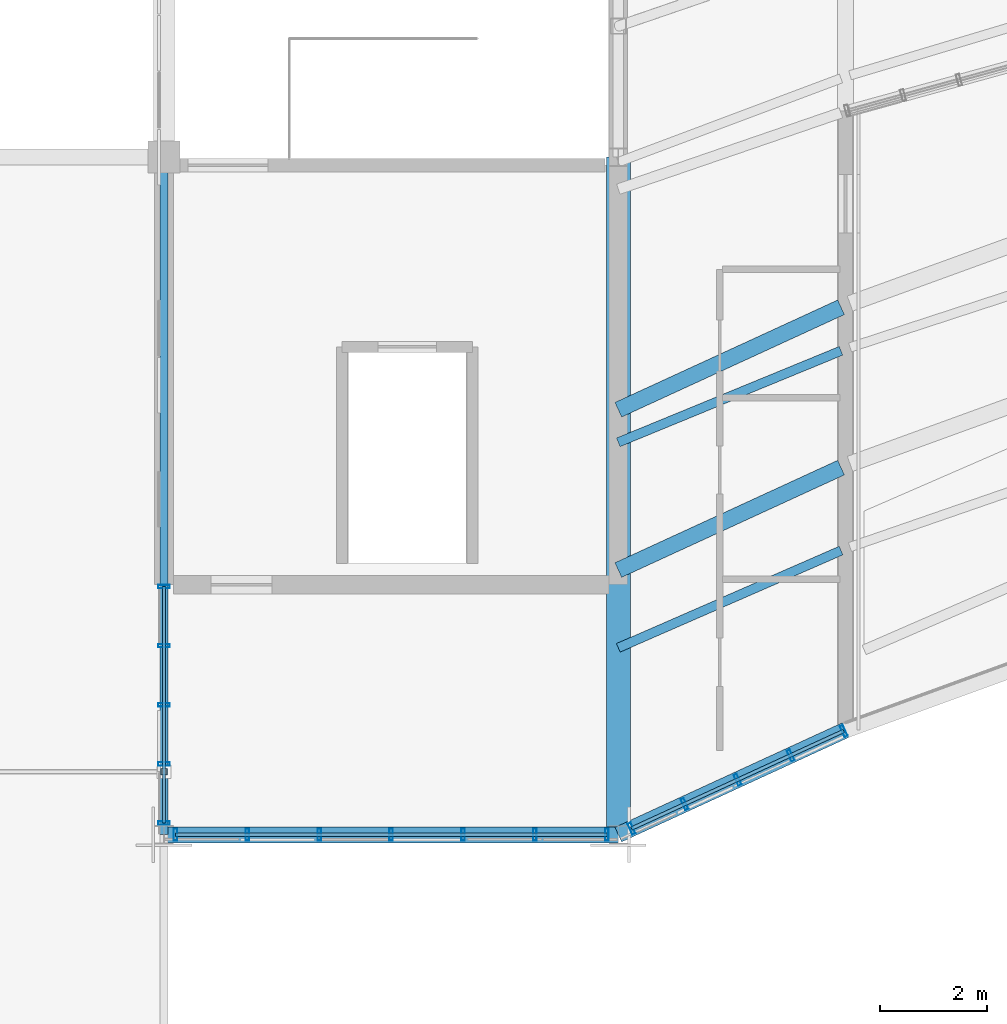
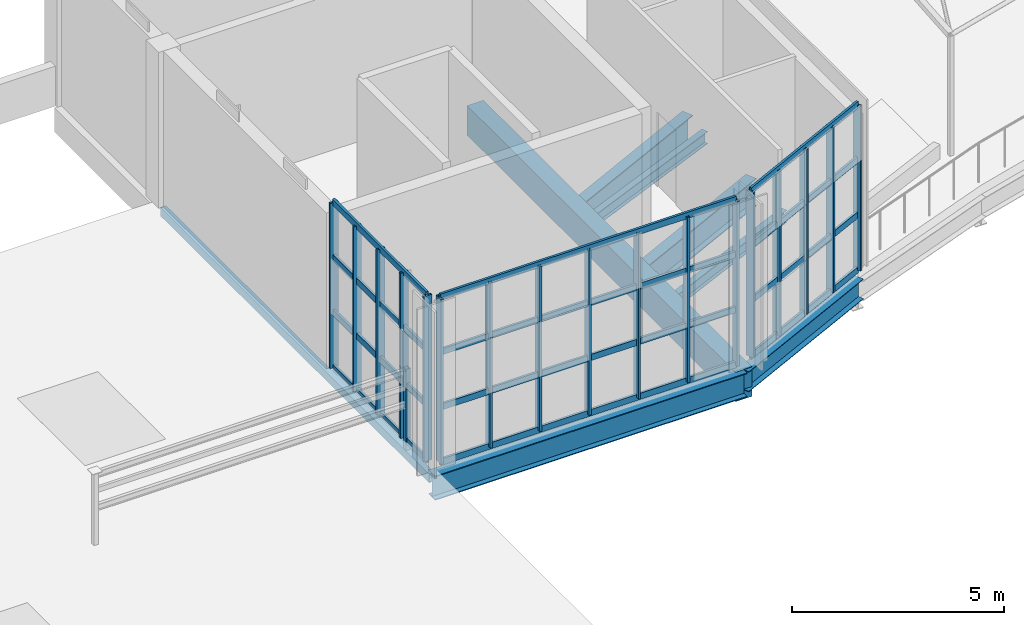
# One storey, part 8 of 35: 30 members, 8 beams, 3 elements without a shape of their own.
"""IFC4 building model written with IfcOpenShell, lengths in metres."""

from ifc_helpers import new_model, si_unit, direction, frame, origin, origin_2d, place, context, subcontext, project, spatial, rectangle, hollow_rectangle, i_section, extrude, material, material_profile, profile_set, type_object, element, aggregate, save


model = new_model("IFC4")

# Units and contexts
model_context = context("Model", 3, precision=1e-05, world=origin(), true_north=direction((0.0, 1.0)))
body_context = subcontext(model_context, "Body", "Model", "MODEL_VIEW")
ifc_project = project(units=[si_unit("LENGTHUNIT", "METRE"), si_unit("AREAUNIT", "SQUARE_METRE"), si_unit("VOLUMEUNIT", "CUBIC_METRE"), si_unit("PLANEANGLEUNIT", "RADIAN"), si_unit("MASSUNIT", "GRAM", prefix="KILO")], contexts=[model_context])

# Site, building, storey
site_placement = place(None, origin())
site = spatial("IfcSite", under=ifc_project, at=site_placement, CompositionType="ELEMENT")
building_placement = place(site_placement, origin())
building = spatial("IfcBuilding", under=site, at=building_placement, Name="Solvikara Media Centre", CompositionType="ELEMENT")
storey_placement = place(building_placement, frame((0.0, 0.0, 29.39990234375)))
storey = spatial("IfcBuildingStorey", under=building, at=storey_placement, Name="L06", CompositionType="ELEMENT", Elevation=29.39990234375)

# Beams
ifc_material_1 = material(Name="Concrete fc' 35 MPa (C35/45)", Category="concrete")
ifc_material_profile_1 = material_profile(ifc_material_1, rectangle(XDim=0.449951171875, YDim=0.85009765625, at=origin_2d()), Name="RC 450x850")
ifc_profile_set_1 = profile_set([ifc_material_profile_1], Name="Concrete fc' 35 MPa (C35/45)")
beam_type_1 = type_object("IfcBeamType", Name="BM-14", PredefinedType="SPANDREL", material=ifc_profile_set_1)
beam_1_placement = place(storey_placement, frame((76.5, 19.323974609375, -0.64501953125), z_axis=(0.0, 1.0, 0.0), x_axis=(-1.0, 0.0, 0.0)))
element("IfcBeam", 1, at=beam_1_placement, inside=storey, type_object=beam_type_1, Name="B-L06-Y1718", PredefinedType="SPANDREL", context=body_context, shape_type="SweptSolid", body=[
    extrude(rectangle(XDim=0.449951171875, YDim=0.85009765625, at=origin_2d()), origin(), (0.0, 0.0, 1.0), 12.676025390625),
])
ifc_material_2 = material(Name="Steel S355JR", Category="steel")
ifc_material_profile_2 = material_profile(ifc_material_2, i_section(OverallWidth=0.300048828125, OverallDepth=0.800048828125, WebThickness=0.013916015625, FlangeThickness=0.02587890625, at=origin_2d()), Name="WF 800x300x14x26")
ifc_profile_set_2 = profile_set([ifc_material_profile_2], Name="Steel S355JR")
beam_type_2 = type_object("IfcBeamType", Name="BM-16", PredefinedType="BEAM", material=ifc_profile_set_2)
for number, where, z_axis, x_axis, name in (
    (2, (76.5, 24.27392578125, -0.669921875), (0.908513080243, 0.417856414367, 0.0), (-0.417856414367, 0.908513080243, 0.0), "B-L06-SPNS-00"),
    (3, (76.5, 27.27392578125, -0.669921875), (0.908513080243, 0.417856414367, 0.0), (-0.417856414367, 0.908513080243, 0.0), "B-L06-SPNN-00"),
):
    element("IfcBeam", number, at=place(storey_placement, frame(where, z_axis=z_axis, x_axis=x_axis)), inside=storey, type_object=beam_type_2, Name=name, PredefinedType="BEAM", context=body_context, shape_type="SweptSolid", body=[
        extrude(i_section(OverallWidth=0.300048828125, OverallDepth=0.800048828125, WebThickness=0.013916015625, FlangeThickness=0.02587890625, at=origin_2d()), origin(), (0.0, 0.0, 1.0), 4.587646484375),
    ])
ifc_material_profile_3 = material_profile(ifc_material_2, i_section(OverallWidth=0.300048828125, OverallDepth=0.699951171875, WebThickness=0.012939453125, FlangeThickness=0.02392578125, at=origin_2d()), Name="WF 700x300x13x24")
ifc_profile_set_3 = profile_set([ifc_material_profile_3], Name="Steel S355JR")
beam_type_3 = type_object("IfcBeamType", Name="BM-17", PredefinedType="BEAM", material=ifc_profile_set_3)
beam_2_placement = place(storey_placement, frame((68.0, 19.320068359375, -0.572021484375), z_axis=(1.0, 0.0, 0.0), x_axis=(0.0, 1.0, 0.0)))
element("IfcBeam", 4, at=beam_2_placement, inside=storey, type_object=beam_type_3, Name="B-L06-X1696", PredefinedType="BEAM", context=body_context, shape_type="SweptSolid", body=[
    extrude(i_section(OverallWidth=0.300048828125, OverallDepth=0.699951171875, WebThickness=0.012939453125, FlangeThickness=0.02392578125, at=origin_2d()), origin(), (0.0, 0.0, 1.0), 8.5),
])
ifc_material_profile_4 = material_profile(ifc_material_2, i_section(OverallWidth=0.175048828125, OverallDepth=0.35009765625, WebThickness=0.007080078125, FlangeThickness=0.010986328125, at=origin_2d()), Name="WF 350x175x7x11")
ifc_profile_set_4 = profile_set([ifc_material_profile_4], Name="Steel S355JR")
beam_type_4 = type_object("IfcBeamType", Name="BM-22", PredefinedType="JOIST", material=ifc_profile_set_4)
beam_3_placement = place(storey_placement, frame((76.5, 22.819091796875, -0.44482421875), z_axis=(0.916452774581, 0.40014286444, 0.0), x_axis=(-0.40014286444, 0.916452774581, 0.0)))
element("IfcBeam", 5, at=beam_3_placement, inside=storey, type_object=beam_type_4, Name="BJ-L06-00-20", PredefinedType="JOIST", context=body_context, shape_type="SweptSolid", body=[
    extrude(i_section(OverallWidth=0.175048828125, OverallDepth=0.35009765625, WebThickness=0.007080078125, FlangeThickness=0.010986328125, at=origin_2d()), origin(), (0.0, 0.0, 1.0), 4.5478515625),
])
beam_4_placement = place(storey_placement, frame((76.5, 26.6640625, -0.44482421875), z_axis=(0.924906874056, 0.380193732621, 0.0), x_axis=(-0.380193732621, 0.924906874056, 0.0)))
element("IfcBeam", 6, at=beam_4_placement, inside=storey, type_object=beam_type_4, Name="BJ-L06-00-42", PredefinedType="JOIST", context=body_context, shape_type="SweptSolid", body=[
    extrude(i_section(OverallWidth=0.175048828125, OverallDepth=0.35009765625, WebThickness=0.007080078125, FlangeThickness=0.010986328125, at=origin_2d()), origin(), (0.0, 0.0, 1.0), 4.50537109375),
])
ifc_material_profile_5 = material_profile(ifc_material_2, i_section(OverallWidth=0.300048828125, OverallDepth=0.58203125, WebThickness=0.011962890625, FlangeThickness=0.01708984375, at=origin_2d()), Name="WF 582x300x12x17")
ifc_profile_set_5 = profile_set([ifc_material_profile_5], Name="Steel S355JR")
beam_type_5 = type_object("IfcBeamType", Name="BM-31", PredefinedType="SPANDREL", material=ifc_profile_set_5)
beam_5_placement = place(storey_placement, frame((76.5, 19.323974609375, -0.512939453125), z_axis=(0.908484112169, 0.417919391673, 0.0), x_axis=(-0.417919391673, 0.908484112169, 0.0)))
element("IfcBeam", 7, at=beam_5_placement, inside=storey, type_object=beam_type_5, Name="B-L06-SARC-00", PredefinedType="SPANDREL", context=body_context, shape_type="SweptSolid", body=[
    extrude(i_section(OverallWidth=0.300048828125, OverallDepth=0.58203125, WebThickness=0.011962890625, FlangeThickness=0.01708984375, at=origin_2d()), origin(), (0.0, 0.0, 1.0), 4.67822265625),
])
ifc_material_profile_6 = material_profile(ifc_material_2, hollow_rectangle(XDim=0.14990234375, YDim=0.25, WallThickness=0.008056640625, at=origin_2d()), Name="RHS 250x150x8")
ifc_profile_set_6 = profile_set([ifc_material_profile_6], Name="Steel S355JR")
beam_type_6 = type_object("IfcBeamType", Name="BM-36", PredefinedType="JOIST", material=ifc_profile_set_6)
beam_6_placement = place(storey_placement, frame((68.0, 19.323974609375, -0.35693359375), z_axis=(0.0, 1.0, 0.0), x_axis=(-1.0, 0.0, 0.0)))
element("IfcBeam", 8, at=beam_6_placement, inside=storey, type_object=beam_type_6, Name="B-L06-Y1716", PredefinedType="JOIST", context=body_context, shape_type="SweptSolid", body=[
    extrude(hollow_rectangle(XDim=0.14990234375, YDim=0.25, WallThickness=0.008056640625, at=origin_2d()), origin(), (0.0, 0.0, 1.0), 12.676025390625),
])

# Member
ifc_material_profile_7 = material_profile(ifc_material_2, hollow_rectangle(XDim=0.1201171875, YDim=0.1201171875, WallThickness=0.006103515625, at=origin_2d()), Name="RHS 120x120x6")
ifc_profile_set_7 = profile_set([ifc_material_profile_7], Name="Steel S355JR")
member_type_1 = type_object("IfcMemberType", Name="MB-24", PredefinedType="POST", material=ifc_profile_set_7)
member_1_placement = place(storey_placement, frame((68.0, 20.5, -0.27978515625), z_axis=(0.0, 0.0, 1.0), x_axis=(1.0, 0.0, 0.0)))
element("IfcMember", 9, at=member_1_placement, inside=storey, type_object=member_type_1, Name="PS-POST-B4", PredefinedType="POST", context=body_context, shape_type="SweptSolid", body=[
    extrude(hollow_rectangle(XDim=0.1201171875, YDim=0.1201171875, WallThickness=0.006103515625, at=origin_2d()), origin(), (0.0, 0.0, 1.0), 2.3798828125),
])

# Curtain wall, members
ifc_material_3 = material(Name="Anodised aluminium EN AW-6063", Category="aluminium")
curtain_wall_type = type_object("IfcCurtainWallType", Name="CW-13", PredefinedType="NOTDEFINED", material=ifc_material_3)
curtain_wall_1_placement = place(storey_placement, origin())
curtain_wall_1 = element("IfcCurtainWall", 10, at=curtain_wall_1_placement, inside=storey, type_object=curtain_wall_type, Name="CW-L06-BHWS", PredefinedType="NOTDEFINED")
ifc_material_profile_8 = material_profile(ifc_material_3, hollow_rectangle(XDim=0.06494140625, YDim=0.219970703125, WallThickness=0.00390625, at=origin_2d()), Name="ALU-M 65x220x4")
ifc_profile_set_8 = profile_set([ifc_material_profile_8], Name="Anodised aluminium EN AW-6063")
member_type_2 = type_object("IfcMemberType", Name="MF-01", PredefinedType="MULLION", material=ifc_profile_set_8)
member_2_placement = place(storey_placement, frame((68.215087890625, 19.323974609375, 0.02001953125), z_axis=(0.0, 0.0, 1.0), x_axis=(1.0, 0.0, 0.0)))
member_2 = element("IfcMember", 11, at=member_2_placement, type_object=member_type_2, Name="CW-L06-BHWS-M00", PredefinedType="MULLION", context=body_context, shape_type="SweptSolid", body=[
    extrude(hollow_rectangle(XDim=0.06494140625, YDim=0.219970703125, WallThickness=0.00390625, at=origin_2d()), origin(), (0.0, 0.0, 1.0), 4.760009765625),
])
member_3_placement = place(storey_placement, frame((69.56005859375, 19.323974609375, 0.02001953125), z_axis=(0.0, 0.0, 1.0), x_axis=(1.0, 0.0, 0.0)))
member_3 = element("IfcMember", 12, at=member_3_placement, type_object=member_type_2, Name="CW-L06-BHWS-M01", PredefinedType="MULLION", context=body_context, shape_type="SweptSolid", body=[
    extrude(hollow_rectangle(XDim=0.06494140625, YDim=0.219970703125, WallThickness=0.00390625, at=origin_2d()), origin(), (0.0, 0.0, 1.0), 4.760009765625),
])
member_4_placement = place(storey_placement, frame((70.905029296875, 19.323974609375, 0.02001953125), z_axis=(0.0, 0.0, 1.0), x_axis=(1.0, 0.0, 0.0)))
member_4 = element("IfcMember", 13, at=member_4_placement, type_object=member_type_2, Name="CW-L06-BHWS-M02", PredefinedType="MULLION", context=body_context, shape_type="SweptSolid", body=[
    extrude(hollow_rectangle(XDim=0.06494140625, YDim=0.219970703125, WallThickness=0.00390625, at=origin_2d()), origin(), (0.0, 0.0, 1.0), 4.760009765625),
])
member_5_placement = place(storey_placement, frame((72.25, 19.323974609375, 0.02001953125), z_axis=(0.0, 0.0, 1.0), x_axis=(1.0, 0.0, 0.0)))
member_5 = element("IfcMember", 14, at=member_5_placement, type_object=member_type_2, Name="CW-L06-BHWS-M03", PredefinedType="MULLION", context=body_context, shape_type="SweptSolid", body=[
    extrude(hollow_rectangle(XDim=0.06494140625, YDim=0.219970703125, WallThickness=0.00390625, at=origin_2d()), origin(), (0.0, 0.0, 1.0), 4.760009765625),
])
member_6_placement = place(storey_placement, frame((73.594970703125, 19.323974609375, 0.02001953125), z_axis=(0.0, 0.0, 1.0), x_axis=(1.0, 0.0, 0.0)))
member_6 = element("IfcMember", 15, at=member_6_placement, type_object=member_type_2, Name="CW-L06-BHWS-M04", PredefinedType="MULLION", context=body_context, shape_type="SweptSolid", body=[
    extrude(hollow_rectangle(XDim=0.06494140625, YDim=0.219970703125, WallThickness=0.00390625, at=origin_2d()), origin(), (0.0, 0.0, 1.0), 4.760009765625),
])
member_7_placement = place(storey_placement, frame((74.93994140625, 19.323974609375, 0.02001953125), z_axis=(0.0, 0.0, 1.0), x_axis=(1.0, 0.0, 0.0)))
member_7 = element("IfcMember", 16, at=member_7_placement, type_object=member_type_2, Name="CW-L06-BHWS-M05", PredefinedType="MULLION", context=body_context, shape_type="SweptSolid", body=[
    extrude(hollow_rectangle(XDim=0.06494140625, YDim=0.219970703125, WallThickness=0.00390625, at=origin_2d()), origin(), (0.0, 0.0, 1.0), 4.760009765625),
])
member_8_placement = place(storey_placement, frame((76.284912109375, 19.323974609375, 0.02001953125), z_axis=(0.0, 0.0, 1.0), x_axis=(1.0, 0.0, 0.0)))
member_8 = element("IfcMember", 17, at=member_8_placement, type_object=member_type_2, Name="CW-L06-BHWS-M06", PredefinedType="MULLION", context=body_context, shape_type="SweptSolid", body=[
    extrude(hollow_rectangle(XDim=0.06494140625, YDim=0.219970703125, WallThickness=0.00390625, at=origin_2d()), origin(), (0.0, 0.0, 1.0), 4.760009765625),
])

curtain_wall_2_placement = place(storey_placement, origin())
curtain_wall_2 = element("IfcCurtainWall", 18, at=curtain_wall_2_placement, inside=storey, type_object=curtain_wall_type, Name="CW-L06-SARC-00", PredefinedType="NOTDEFINED")
member_9_placement = place(storey_placement, frame((76.7470703125, 19.43798828125, 0.02001953125), z_axis=(0.0, 0.0, 1.0), x_axis=(0.908544639849, 0.417787789915, 0.0)))
member_9 = element("IfcMember", 19, at=member_9_placement, type_object=member_type_2, Name="CW-L06-SARC-00-M00", PredefinedType="MULLION", context=body_context, shape_type="SweptSolid", body=[
    extrude(hollow_rectangle(XDim=0.06494140625, YDim=0.219970703125, WallThickness=0.00390625, at=origin_2d()), origin(), (0.0, 0.0, 1.0), 4.760009765625),
])
member_10_placement = place(storey_placement, frame((77.739990234375, 19.89501953125, 0.02001953125), z_axis=(0.0, 0.0, 1.0), x_axis=(0.908544639849, 0.417787789915, 0.0)))
member_10 = element("IfcMember", 20, at=member_10_placement, type_object=member_type_2, Name="CW-L06-SARC-00-M01", PredefinedType="MULLION", context=body_context, shape_type="SweptSolid", body=[
    extrude(hollow_rectangle(XDim=0.06494140625, YDim=0.219970703125, WallThickness=0.00390625, at=origin_2d()), origin(), (0.0, 0.0, 1.0), 4.760009765625),
])
member_11_placement = place(storey_placement, frame((78.73193359375, 20.35107421875, 0.02001953125), z_axis=(0.0, 0.0, 1.0), x_axis=(0.908544639849, 0.417787789915, 0.0)))
member_11 = element("IfcMember", 21, at=member_11_placement, type_object=member_type_2, Name="CW-L06-SARC-00-M02", PredefinedType="MULLION", context=body_context, shape_type="SweptSolid", body=[
    extrude(hollow_rectangle(XDim=0.06494140625, YDim=0.219970703125, WallThickness=0.00390625, at=origin_2d()), origin(), (0.0, 0.0, 1.0), 4.760009765625),
])
member_12_placement = place(storey_placement, frame((79.72509765625, 20.806884765625, 0.02001953125), z_axis=(0.0, 0.0, 1.0), x_axis=(0.908544639849, 0.417787789915, 0.0)))
member_12 = element("IfcMember", 22, at=member_12_placement, type_object=member_type_2, Name="CW-L06-SARC-00-M03", PredefinedType="MULLION", context=body_context, shape_type="SweptSolid", body=[
    extrude(hollow_rectangle(XDim=0.06494140625, YDim=0.219970703125, WallThickness=0.00390625, at=origin_2d()), origin(), (0.0, 0.0, 1.0), 4.760009765625),
])
member_13_placement = place(storey_placement, frame((80.718017578125, 21.263916015625, 0.02001953125), z_axis=(0.0, 0.0, 1.0), x_axis=(0.908544639849, 0.417787789915, 0.0)))
member_13 = element("IfcMember", 23, at=member_13_placement, type_object=member_type_2, Name="CW-L06-SARC-00-M04", PredefinedType="MULLION", context=body_context, shape_type="SweptSolid", body=[
    extrude(hollow_rectangle(XDim=0.06494140625, YDim=0.219970703125, WallThickness=0.00390625, at=origin_2d()), origin(), (0.0, 0.0, 1.0), 4.760009765625),
])

curtain_wall_3_placement = place(storey_placement, origin())
curtain_wall_3 = element("IfcCurtainWall", 24, at=curtain_wall_3_placement, inside=storey, type_object=curtain_wall_type, Name="CW-L06-BHWW", PredefinedType="NOTDEFINED")
member_14_placement = place(storey_placement, frame((68.0, 19.5390625, 0.02001953125), z_axis=(0.0, 0.0, 1.0), x_axis=(0.0, 1.0, 0.0)))
member_14 = element("IfcMember", 25, at=member_14_placement, type_object=member_type_2, Name="CW-L06-BHWW-M00", PredefinedType="MULLION", context=body_context, shape_type="SweptSolid", body=[
    extrude(hollow_rectangle(XDim=0.06494140625, YDim=0.219970703125, WallThickness=0.00390625, at=origin_2d()), origin(), (0.0, 0.0, 1.0), 4.760009765625),
])
member_15_placement = place(storey_placement, frame((68.0, 20.64501953125, 0.02001953125), z_axis=(0.0, 0.0, 1.0), x_axis=(0.0, 1.0, 0.0)))
member_15 = element("IfcMember", 26, at=member_15_placement, type_object=member_type_2, Name="CW-L06-BHWW-M01", PredefinedType="MULLION", context=body_context, shape_type="SweptSolid", body=[
    extrude(hollow_rectangle(XDim=0.06494140625, YDim=0.219970703125, WallThickness=0.00390625, at=origin_2d()), origin(), (0.0, 0.0, 1.0), 4.760009765625),
])
member_16_placement = place(storey_placement, frame((68.0, 21.751953125, 0.02001953125), z_axis=(0.0, 0.0, 1.0), x_axis=(0.0, 1.0, 0.0)))
member_16 = element("IfcMember", 27, at=member_16_placement, type_object=member_type_2, Name="CW-L06-BHWW-M02", PredefinedType="MULLION", context=body_context, shape_type="SweptSolid", body=[
    extrude(hollow_rectangle(XDim=0.06494140625, YDim=0.219970703125, WallThickness=0.00390625, at=origin_2d()), origin(), (0.0, 0.0, 1.0), 4.760009765625),
])
member_17_placement = place(storey_placement, frame((68.0, 22.85791015625, 0.02001953125), z_axis=(0.0, 0.0, 1.0), x_axis=(0.0, 1.0, 0.0)))
member_17 = element("IfcMember", 28, at=member_17_placement, type_object=member_type_2, Name="CW-L06-BHWW-M03", PredefinedType="MULLION", context=body_context, shape_type="SweptSolid", body=[
    extrude(hollow_rectangle(XDim=0.06494140625, YDim=0.219970703125, WallThickness=0.00390625, at=origin_2d()), origin(), (0.0, 0.0, 1.0), 4.760009765625),
])
member_18_placement = place(storey_placement, frame((68.0, 23.965087890625, 0.02001953125), z_axis=(0.0, 0.0, 1.0), x_axis=(0.0, 1.0, 0.0)))
member_18 = element("IfcMember", 29, at=member_18_placement, type_object=member_type_2, Name="CW-L06-BHWW-M04", PredefinedType="MULLION", context=body_context, shape_type="SweptSolid", body=[
    extrude(hollow_rectangle(XDim=0.06494140625, YDim=0.219970703125, WallThickness=0.00390625, at=origin_2d()), origin(), (0.0, 0.0, 1.0), 4.760009765625),
])

# Member
ifc_material_profile_9 = material_profile(ifc_material_3, hollow_rectangle(XDim=0.06494140625, YDim=0.179931640625, WallThickness=0.00341796875, at=origin_2d()), Name="ALU-T 65x180x3.5")
ifc_profile_set_9 = profile_set([ifc_material_profile_9], Name="Anodised aluminium EN AW-6063")
member_type_3 = type_object("IfcMemberType", Name="MF-07", PredefinedType="USERDEFINED", material=ifc_profile_set_9)
member_19_placement = place(storey_placement, frame((68.215087890625, 19.323974609375, 0.02001953125), z_axis=(1.0, 0.0, 0.0), x_axis=(0.0, 1.0, 0.0)))
member_19 = element("IfcMember", 30, at=member_19_placement, type_object=member_type_3, Name="CW-L06-BHWS-T00", ObjectType="TRANSOM", PredefinedType="USERDEFINED", context=body_context, shape_type="SweptSolid", body=[
    extrude(hollow_rectangle(XDim=0.06494140625, YDim=0.179931640625, WallThickness=0.00341796875, at=origin_2d()), origin(), (0.0, 0.0, 1.0), 8.06982421875),
])

member_20_placement = place(storey_placement, frame((68.215087890625, 19.323974609375, 1.607177734375), z_axis=(1.0, 0.0, 0.0), x_axis=(0.0, 1.0, 0.0)))
member_20 = element("IfcMember", 31, at=member_20_placement, type_object=member_type_3, Name="CW-L06-BHWS-T01", ObjectType="TRANSOM", PredefinedType="USERDEFINED", context=body_context, shape_type="SweptSolid", body=[
    extrude(hollow_rectangle(XDim=0.06494140625, YDim=0.179931640625, WallThickness=0.00341796875, at=origin_2d()), origin(), (0.0, 0.0, 1.0), 8.06982421875),
])

member_21_placement = place(storey_placement, frame((68.215087890625, 19.323974609375, 3.193115234375), z_axis=(1.0, 0.0, 0.0), x_axis=(0.0, 1.0, 0.0)))
member_21 = element("IfcMember", 32, at=member_21_placement, type_object=member_type_3, Name="CW-L06-BHWS-T02", ObjectType="TRANSOM", PredefinedType="USERDEFINED", context=body_context, shape_type="SweptSolid", body=[
    extrude(hollow_rectangle(XDim=0.06494140625, YDim=0.179931640625, WallThickness=0.00341796875, at=origin_2d()), origin(), (0.0, 0.0, 1.0), 8.06982421875),
])

member_22_placement = place(storey_placement, frame((68.215087890625, 19.323974609375, 4.780029296875), z_axis=(1.0, 0.0, 0.0), x_axis=(0.0, 1.0, 0.0)))
member_22 = element("IfcMember", 33, at=member_22_placement, type_object=member_type_3, Name="CW-L06-BHWS-T03", ObjectType="TRANSOM", PredefinedType="USERDEFINED", context=body_context, shape_type="SweptSolid", body=[
    extrude(hollow_rectangle(XDim=0.06494140625, YDim=0.179931640625, WallThickness=0.00341796875, at=origin_2d()), origin(), (0.0, 0.0, 1.0), 8.06982421875),
])

aggregate(curtain_wall_1, [member_2, member_3, member_4, member_5, member_6, member_7, member_8, member_19, member_20, member_21, member_22])

member_23_placement = place(storey_placement, frame((76.7470703125, 19.43798828125, 0.02001953125), z_axis=(0.908551945268, 0.417771902777, 0.0), x_axis=(-0.417771902777, 0.908551945268, 0.0)))
member_23 = element("IfcMember", 34, at=member_23_placement, type_object=member_type_3, Name="CW-L06-SARC-00-T00", ObjectType="TRANSOM", PredefinedType="USERDEFINED", context=body_context, shape_type="SweptSolid", body=[
    extrude(hollow_rectangle(XDim=0.06494140625, YDim=0.179931640625, WallThickness=0.00341796875, at=origin_2d()), origin(), (0.0, 0.0, 1.0), 4.37060546875),
])

member_24_placement = place(storey_placement, frame((76.7470703125, 19.43798828125, 1.607177734375), z_axis=(0.908551945268, 0.417771902777, 0.0), x_axis=(-0.417771902777, 0.908551945268, 0.0)))
member_24 = element("IfcMember", 35, at=member_24_placement, type_object=member_type_3, Name="CW-L06-SARC-00-T01", ObjectType="TRANSOM", PredefinedType="USERDEFINED", context=body_context, shape_type="SweptSolid", body=[
    extrude(hollow_rectangle(XDim=0.06494140625, YDim=0.179931640625, WallThickness=0.00341796875, at=origin_2d()), origin(), (0.0, 0.0, 1.0), 4.37060546875),
])

member_25_placement = place(storey_placement, frame((76.7470703125, 19.43798828125, 3.193115234375), z_axis=(0.908551945268, 0.417771902777, 0.0), x_axis=(-0.417771902777, 0.908551945268, 0.0)))
member_25 = element("IfcMember", 36, at=member_25_placement, type_object=member_type_3, Name="CW-L06-SARC-00-T02", ObjectType="TRANSOM", PredefinedType="USERDEFINED", context=body_context, shape_type="SweptSolid", body=[
    extrude(hollow_rectangle(XDim=0.06494140625, YDim=0.179931640625, WallThickness=0.00341796875, at=origin_2d()), origin(), (0.0, 0.0, 1.0), 4.37060546875),
])

member_26_placement = place(storey_placement, frame((76.7470703125, 19.43798828125, 4.780029296875), z_axis=(0.908551945268, 0.417771902777, 0.0), x_axis=(-0.417771902777, 0.908551945268, 0.0)))
member_26 = element("IfcMember", 37, at=member_26_placement, type_object=member_type_3, Name="CW-L06-SARC-00-T03", ObjectType="TRANSOM", PredefinedType="USERDEFINED", context=body_context, shape_type="SweptSolid", body=[
    extrude(hollow_rectangle(XDim=0.06494140625, YDim=0.179931640625, WallThickness=0.00341796875, at=origin_2d()), origin(), (0.0, 0.0, 1.0), 4.37060546875),
])

aggregate(curtain_wall_2, [member_9, member_10, member_11, member_12, member_13, member_23, member_24, member_25, member_26])

member_27_placement = place(storey_placement, frame((68.0, 19.5390625, 0.02001953125), z_axis=(0.0, 1.0, 0.0), x_axis=(-1.0, 0.0, 0.0)))
member_27 = element("IfcMember", 38, at=member_27_placement, type_object=member_type_3, Name="CW-L06-BHWW-T00", ObjectType="TRANSOM", PredefinedType="USERDEFINED", context=body_context, shape_type="SweptSolid", body=[
    extrude(hollow_rectangle(XDim=0.06494140625, YDim=0.179931640625, WallThickness=0.00341796875, at=origin_2d()), origin(), (0.0, 0.0, 1.0), 4.426025390625),
])

member_28_placement = place(storey_placement, frame((68.0, 19.5390625, 1.607177734375), z_axis=(0.0, 1.0, 0.0), x_axis=(-1.0, 0.0, 0.0)))
member_28 = element("IfcMember", 39, at=member_28_placement, type_object=member_type_3, Name="CW-L06-BHWW-T01", ObjectType="TRANSOM", PredefinedType="USERDEFINED", context=body_context, shape_type="SweptSolid", body=[
    extrude(hollow_rectangle(XDim=0.06494140625, YDim=0.179931640625, WallThickness=0.00341796875, at=origin_2d()), origin(), (0.0, 0.0, 1.0), 4.426025390625),
])

member_29_placement = place(storey_placement, frame((68.0, 19.5390625, 3.193115234375), z_axis=(0.0, 1.0, 0.0), x_axis=(-1.0, 0.0, 0.0)))
member_29 = element("IfcMember", 40, at=member_29_placement, type_object=member_type_3, Name="CW-L06-BHWW-T02", ObjectType="TRANSOM", PredefinedType="USERDEFINED", context=body_context, shape_type="SweptSolid", body=[
    extrude(hollow_rectangle(XDim=0.06494140625, YDim=0.179931640625, WallThickness=0.00341796875, at=origin_2d()), origin(), (0.0, 0.0, 1.0), 4.426025390625),
])

member_30_placement = place(storey_placement, frame((68.0, 19.5390625, 4.780029296875), z_axis=(0.0, 1.0, 0.0), x_axis=(-1.0, 0.0, 0.0)))
member_30 = element("IfcMember", 41, at=member_30_placement, type_object=member_type_3, Name="CW-L06-BHWW-T03", ObjectType="TRANSOM", PredefinedType="USERDEFINED", context=body_context, shape_type="SweptSolid", body=[
    extrude(hollow_rectangle(XDim=0.06494140625, YDim=0.179931640625, WallThickness=0.00341796875, at=origin_2d()), origin(), (0.0, 0.0, 1.0), 4.426025390625),
])

aggregate(curtain_wall_3, [member_14, member_15, member_16, member_17, member_18, member_27, member_28, member_29, member_30])

save(model, "model.ifc")
